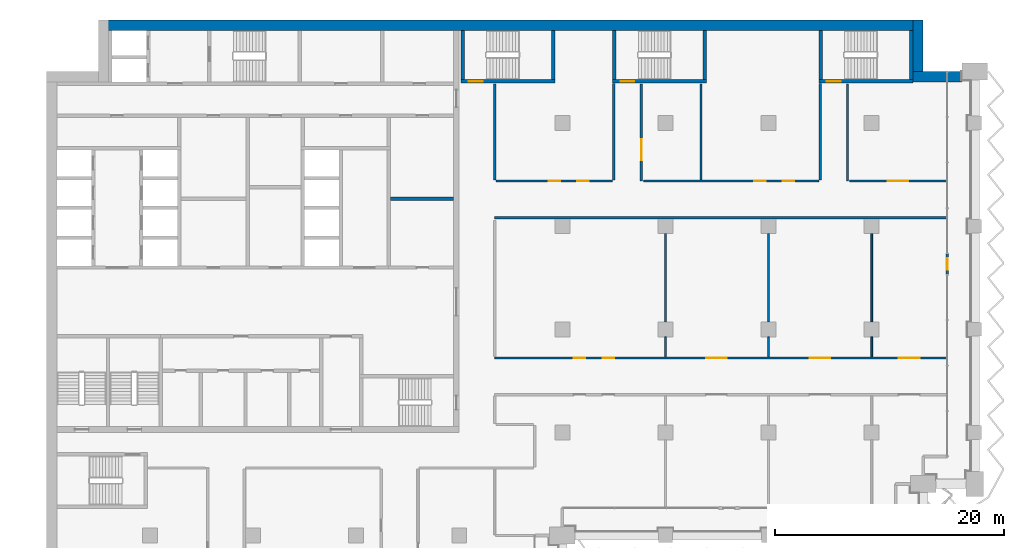
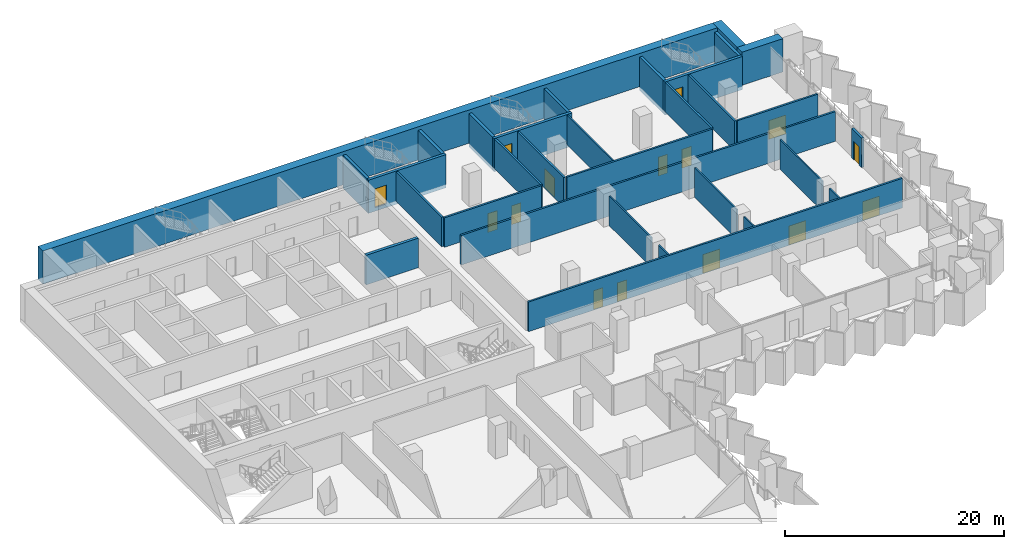
# One storey, part 14 of 22: 31 walls, 15 doors, 15 openings.
"""IFC4 building model written with IfcOpenShell, lengths in metres."""

from ifc_helpers import new_model, si_unit, direction, frame, frame_2d, origin, place, context, subcontext, project, spatial, rectangle, extrude, material, layer, layer_set, type_object, element, fill, save


model = new_model("IFC4")

# Units and contexts
model_context = context("Model", 3, precision=1e-05, world=origin(), true_north=direction((0.0, 1.0)))
body_context = subcontext(model_context, "Body", "Model", "MODEL_VIEW")
ifc_project = project(units=[si_unit("LENGTHUNIT", "METRE"), si_unit("AREAUNIT", "SQUARE_METRE"), si_unit("VOLUMEUNIT", "CUBIC_METRE"), si_unit("PLANEANGLEUNIT", "RADIAN"), si_unit("MASSUNIT", "GRAM", prefix="KILO")], contexts=[model_context])

# Site, building, storey
site_placement = place(None, origin())
site = spatial("IfcSite", under=ifc_project, at=site_placement, CompositionType="ELEMENT")
building_placement = place(site_placement, origin())
building = spatial("IfcBuilding", under=site, at=building_placement, Name="Hunhe Ridgeline Campus", CompositionType="ELEMENT")
storey_placement = place(building_placement, frame((0.0, 0.0, 118.10009765625)))
storey = spatial("IfcBuildingStorey", under=building, at=storey_placement, Name="L29", CompositionType="ELEMENT", Elevation=118.10009765625)

# Wall
ifc_material_1 = material(Name="Masonry concrete blockwork", Category="masonry")
ifc_layer_1 = layer(ifc_material_1, 0.300048828125)
ifc_layer_set_1 = layer_set([ifc_layer_1], Name="Core room partition 300 concrete block")
wall_type_1 = type_object("IfcWallType", Name="Core room partition 300 concrete block", PredefinedType="PARTITIONING", material=ifc_layer_set_1)
wall_1_placement = place(storey_placement, frame((30.0, 83.39990234375, 0.0), z_axis=(0.0, 0.0, 1.0), x_axis=(1.0, 0.0, 0.0)))
element("IfcWall", 1, at=wall_1_placement, inside=storey, type_object=wall_type_1, Name="L29 core partition 21", PredefinedType="PARTITIONING", context=body_context, shape_type="SweptSolid", body=[
    extrude(rectangle(XDim=5.5, YDim=0.300048828125, at=frame_2d((2.75, 0.0))), origin(), (0.0, 0.0, 1.0), 3.2998046875),
])

# Wall, openings, doors
ifc_material_2 = material(Name="Gypsum board partition")
ifc_layer_2 = layer(ifc_material_2, 0.199951171875)
ifc_layer_set_2 = layer_set([ifc_layer_2], Name="Corridor partition 200 gypsum board on steel studs")
wall_type_2 = type_object("IfcWallType", Name="Corridor partition 200 gypsum board on steel studs", PredefinedType="PARTITIONING", material=ifc_layer_set_2)
wall_2_placement = place(storey_placement, frame((39.10009765625, 69.5, 0.0), z_axis=(0.0, 0.0, 1.0), x_axis=(1.0, 0.0, 0.0)))
wall_2 = element("IfcWall", 2, at=wall_2_placement, inside=storey, type_object=wall_type_2, Name="F-L29-wall-036", PredefinedType="PARTITIONING", context=body_context, shape_type="SweptSolid", body=[
    extrude(rectangle(XDim=39.44482421875, YDim=0.199951171875, at=frame_2d((19.722412109375, 0.0))), origin(), (0.0, 0.0, 1.0), 3.2998046875),
])
opening_1_placement = place(wall_2_placement, frame((6.91162109375, 0.0, 0.0)))
opening_1 = element("IfcOpeningElement", 3, at=opening_1_placement, cuts=wall_2, Name="Opening RD1-024", PredefinedType="OPENING", context=body_context, shape_type="SweptSolid", body=[
    extrude(rectangle(XDim=1.0, YDim=2.10009765625, at=frame_2d((0.5, 1.050048828125))), frame((0.0, 0.10009765625, 0.0), z_axis=(0.0, -1.0, 0.0), x_axis=(1.0, 0.0, 0.0)), (0.0, 0.0, 1.0), 0.199951171875),
])
opening_2_placement = place(wall_2_placement, frame((9.41162109375, 0.0, 0.0)))
opening_2 = element("IfcOpeningElement", 4, at=opening_2_placement, cuts=wall_2, Name="Opening RD1-025", PredefinedType="OPENING", context=body_context, shape_type="SweptSolid", body=[
    extrude(rectangle(XDim=1.0, YDim=2.10009765625, at=frame_2d((0.5, 1.050048828125))), frame((0.0, 0.10009765625, 0.0), z_axis=(0.0, -1.0, 0.0), x_axis=(1.0, 0.0, 0.0)), (0.0, 0.0, 1.0), 0.199951171875),
])
opening_3_placement = place(wall_2_placement, frame((18.445556640625, 0.0, 0.0)))
opening_3 = element("IfcOpeningElement", 5, at=opening_3_placement, cuts=wall_2, Name="Opening RD2-026", PredefinedType="OPENING", context=body_context, shape_type="SweptSolid", body=[
    extrude(rectangle(XDim=1.800048828125, YDim=2.10009765625, at=frame_2d((0.89990234375, 1.050048828125))), frame((0.0, 0.10009765625, 0.0), z_axis=(0.0, -1.0, 0.0), x_axis=(1.0, 0.0, 0.0)), (0.0, 0.0, 1.0), 0.199951171875),
])
opening_4_placement = place(wall_2_placement, frame((27.490478515625, 0.0, 0.0)))
opening_4 = element("IfcOpeningElement", 6, at=opening_4_placement, cuts=wall_2, Name="Opening RD2-027", PredefinedType="OPENING", context=body_context, shape_type="SweptSolid", body=[
    extrude(rectangle(XDim=1.800048828125, YDim=2.10009765625, at=frame_2d((0.89990234375, 1.050048828125))), frame((0.0, 0.10009765625, 0.0), z_axis=(0.0, -1.0, 0.0), x_axis=(1.0, 0.0, 0.0)), (0.0, 0.0, 1.0), 0.199951171875),
])
opening_5_placement = place(wall_2_placement, frame((35.27880859375, 0.0, 0.0)))
opening_5 = element("IfcOpeningElement", 7, at=opening_5_placement, cuts=wall_2, Name="Opening RD2-028", PredefinedType="OPENING", context=body_context, shape_type="SweptSolid", body=[
    extrude(rectangle(XDim=1.800048828125, YDim=2.10009765625, at=frame_2d((0.89990234375, 1.050048828125))), frame((0.0, 0.10009765625, 0.0), z_axis=(0.0, -1.0, 0.0), x_axis=(1.0, 0.0, 0.0)), (0.0, 0.0, 1.0), 0.199951171875),
])
ifc_material_3 = material(Name="Timber door leaf", Category="wood")
door_type_1 = type_object("IfcDoorType", Name="Double fire door 1800x2100 timber FD60", OperationType="DOUBLE_DOOR_SINGLE_SWING", PredefinedType="DOOR", material=ifc_material_3)
door_1_placement = place(opening_3_placement, origin())
door_1 = element("IfcDoor", 8, at=door_1_placement, inside=storey, type_object=door_type_1, Name="F-L29-door-026", OperationType="DOUBLE_DOOR_SINGLE_SWING", OverallHeight=2.10009765625, OverallWidth=1.800048828125, PredefinedType="DOOR", context=body_context, shape_type="SweptSolid", body=[
    extrude(rectangle(XDim=1.800048828125, YDim=2.10009765625, at=frame_2d((0.89990234375, 1.050048828125))), frame((0.0, 0.02490234375, 0.0), z_axis=(0.0, -1.0, 0.0), x_axis=(1.0, 0.0, 0.0)), (0.0, 0.0, 1.0), 0.050048828125),
])
fill(opening_3, door_1)
door_2_placement = place(opening_4_placement, origin())
door_2 = element("IfcDoor", 9, at=door_2_placement, inside=storey, type_object=door_type_1, Name="F-L29-door-027", OperationType="DOUBLE_DOOR_SINGLE_SWING", OverallHeight=2.10009765625, OverallWidth=1.800048828125, PredefinedType="DOOR", context=body_context, shape_type="SweptSolid", body=[
    extrude(rectangle(XDim=1.800048828125, YDim=2.10009765625, at=frame_2d((0.89990234375, 1.050048828125))), frame((0.0, 0.02490234375, 0.0), z_axis=(0.0, -1.0, 0.0), x_axis=(1.0, 0.0, 0.0)), (0.0, 0.0, 1.0), 0.050048828125),
])
fill(opening_4, door_2)
door_3_placement = place(opening_5_placement, origin())
door_3 = element("IfcDoor", 10, at=door_3_placement, inside=storey, type_object=door_type_1, Name="F-L29-door-028", OperationType="DOUBLE_DOOR_SINGLE_SWING", OverallHeight=2.10009765625, OverallWidth=1.800048828125, PredefinedType="DOOR", context=body_context, shape_type="SweptSolid", body=[
    extrude(rectangle(XDim=1.800048828125, YDim=2.10009765625, at=frame_2d((0.89990234375, 1.050048828125))), frame((0.0, 0.02490234375, 0.0), z_axis=(0.0, -1.0, 0.0), x_axis=(1.0, 0.0, 0.0)), (0.0, 0.0, 1.0), 0.050048828125),
])
fill(opening_5, door_3)
door_type_2 = type_object("IfcDoorType", Name="Single fire door 1000x2100 timber FD60", OperationType="NOTDEFINED", PredefinedType="DOOR", material=ifc_material_3)
door_4_placement = place(opening_1_placement, frame((1.0, 0.0, 0.0), z_axis=(0.0, 0.0, 1.0), x_axis=(-1.0, 0.0, 0.0)))
door_4 = element("IfcDoor", 11, at=door_4_placement, inside=storey, type_object=door_type_2, Name="F-L29-door-024", OperationType="SINGLE_SWING_RIGHT", OverallHeight=2.10009765625, OverallWidth=1.0, PredefinedType="DOOR", context=body_context, shape_type="SweptSolid", body=[
    extrude(rectangle(XDim=1.0, YDim=2.10009765625, at=frame_2d((0.5, 1.050048828125))), frame((0.0, 0.02490234375, 0.0), z_axis=(0.0, -1.0, 0.0), x_axis=(1.0, 0.0, 0.0)), (0.0, 0.0, 1.0), 0.050048828125),
])
fill(opening_1, door_4)
door_5_placement = place(opening_2_placement, frame((1.0, 0.0, 0.0), z_axis=(0.0, 0.0, 1.0), x_axis=(-1.0, 0.0, 0.0)))
door_5 = element("IfcDoor", 12, at=door_5_placement, inside=storey, type_object=door_type_2, Name="F-L29-door-025", OperationType="SINGLE_SWING_LEFT", OverallHeight=2.10009765625, OverallWidth=1.0, PredefinedType="DOOR", context=body_context, shape_type="SweptSolid", body=[
    extrude(rectangle(XDim=1.0, YDim=2.10009765625, at=frame_2d((0.5, 1.050048828125))), frame((0.0, 0.02490234375, 0.0), z_axis=(0.0, -1.0, 0.0), x_axis=(1.0, 0.0, 0.0)), (0.0, 0.0, 1.0), 0.050048828125),
])
fill(opening_2, door_5)

# Wall
wall_3_placement = place(storey_placement, frame((78.544921875, 81.75, 0.0), z_axis=(0.0, 0.0, 1.0), x_axis=(-1.0, 0.0, 0.0)))
element("IfcWall", 13, at=wall_3_placement, inside=storey, type_object=wall_type_2, Name="F-L29-wall-037", PredefinedType="PARTITIONING", context=body_context, shape_type="SweptSolid", body=[
    extrude(rectangle(XDim=39.44482421875, YDim=0.199951171875, at=frame_2d((19.722412109375, 0.0))), origin(), (0.0, 0.0, 1.0), 3.2998046875),
])

# Wall, openings, doors
wall_4_placement = place(storey_placement, frame((39.199951171875, 84.949951171875, 0.0), z_axis=(0.0, 0.0, 1.0), x_axis=(1.0, 0.0, 0.0)))
wall_4 = element("IfcWall", 14, at=wall_4_placement, inside=storey, type_object=wall_type_2, Name="F-L29-wall-038", PredefinedType="PARTITIONING", context=body_context, shape_type="SweptSolid", body=[
    extrude(rectangle(XDim=10.199951171875, YDim=0.199951171875, at=frame_2d((5.10009765625, 0.0))), origin(), (0.0, 0.0, 1.0), 3.2998046875),
])
opening_6_placement = place(wall_4_placement, frame((4.60009765625, 0.0, 0.0)))
opening_6 = element("IfcOpeningElement", 15, at=opening_6_placement, cuts=wall_4, Name="Opening RD1-029", PredefinedType="OPENING", context=body_context, shape_type="SweptSolid", body=[
    extrude(rectangle(XDim=1.0, YDim=2.10009765625, at=frame_2d((0.5, 1.050048828125))), frame((0.0, 0.10009765625, 0.0), z_axis=(0.0, -1.0, 0.0), x_axis=(1.0, 0.0, 0.0)), (0.0, 0.0, 1.0), 0.199951171875),
])
opening_7_placement = place(wall_4_placement, frame((7.10009765625, 0.0, 0.0)))
opening_7 = element("IfcOpeningElement", 16, at=opening_7_placement, cuts=wall_4, Name="Opening RD1-030", PredefinedType="OPENING", context=body_context, shape_type="SweptSolid", body=[
    extrude(rectangle(XDim=1.0, YDim=2.10009765625, at=frame_2d((0.5, 1.050048828125))), frame((0.0, 0.10009765625, 0.0), z_axis=(0.0, -1.0, 0.0), x_axis=(1.0, 0.0, 0.0)), (0.0, 0.0, 1.0), 0.199951171875),
])
door_6_placement = place(opening_6_placement, frame((1.0, 0.0, 0.0), z_axis=(0.0, 0.0, 1.0), x_axis=(-1.0, 0.0, 0.0)))
door_6 = element("IfcDoor", 17, at=door_6_placement, inside=storey, type_object=door_type_2, Name="F-L29-door-029", OperationType="SINGLE_SWING_LEFT", OverallHeight=2.10009765625, OverallWidth=1.0, PredefinedType="DOOR", context=body_context, shape_type="SweptSolid", body=[
    extrude(rectangle(XDim=1.0, YDim=2.10009765625, at=frame_2d((0.5, 1.050048828125))), frame((0.0, 0.02490234375, 0.0), z_axis=(0.0, -1.0, 0.0), x_axis=(1.0, 0.0, 0.0)), (0.0, 0.0, 1.0), 0.050048828125),
])
fill(opening_6, door_6)
door_7_placement = place(opening_7_placement, frame((1.0, 0.0, 0.0), z_axis=(0.0, 0.0, 1.0), x_axis=(-1.0, 0.0, 0.0)))
door_7 = element("IfcDoor", 18, at=door_7_placement, inside=storey, type_object=door_type_2, Name="F-L29-door-030", OperationType="SINGLE_SWING_LEFT", OverallHeight=2.10009765625, OverallWidth=1.0, PredefinedType="DOOR", context=body_context, shape_type="SweptSolid", body=[
    extrude(rectangle(XDim=1.0, YDim=2.10009765625, at=frame_2d((0.5, 1.050048828125))), frame((0.0, 0.02490234375, 0.0), z_axis=(0.0, -1.0, 0.0), x_axis=(1.0, 0.0, 0.0)), (0.0, 0.0, 1.0), 0.050048828125),
])
fill(opening_7, door_7)

wall_5_placement = place(storey_placement, frame((52.081787109375, 84.949951171875, 0.0), z_axis=(0.0, 0.0, 1.0), x_axis=(1.0, 0.0, 0.0)))
wall_5 = element("IfcWall", 19, at=wall_5_placement, inside=storey, type_object=wall_type_2, Name="F-L29-wall-039", PredefinedType="PARTITIONING", context=body_context, shape_type="SweptSolid", body=[
    extrude(rectangle(XDim=15.318115234375, YDim=0.199951171875, at=frame_2d((7.6591796875, 0.0))), origin(), (0.0, 0.0, 1.0), 3.2998046875),
])
opening_8_placement = place(wall_5_placement, frame((9.670166015625, 0.0, 0.0)))
opening_8 = element("IfcOpeningElement", 20, at=opening_8_placement, cuts=wall_5, Name="Opening RD1-031", PredefinedType="OPENING", context=body_context, shape_type="SweptSolid", body=[
    extrude(rectangle(XDim=1.0, YDim=2.10009765625, at=frame_2d((0.5, 1.050048828125))), frame((0.0, 0.10009765625, 0.0), z_axis=(0.0, -1.0, 0.0), x_axis=(1.0, 0.0, 0.0)), (0.0, 0.0, 1.0), 0.199951171875),
])
opening_9_placement = place(wall_5_placement, frame((12.170166015625, 0.0, 0.0)))
opening_9 = element("IfcOpeningElement", 21, at=opening_9_placement, cuts=wall_5, Name="Opening RD1-032", PredefinedType="OPENING", context=body_context, shape_type="SweptSolid", body=[
    extrude(rectangle(XDim=1.0, YDim=2.10009765625, at=frame_2d((0.5, 1.050048828125))), frame((0.0, 0.10009765625, 0.0), z_axis=(0.0, -1.0, 0.0), x_axis=(1.0, 0.0, 0.0)), (0.0, 0.0, 1.0), 0.199951171875),
])
door_8_placement = place(opening_8_placement, frame((1.0, 0.0, 0.0), z_axis=(0.0, 0.0, 1.0), x_axis=(-1.0, 0.0, 0.0)))
door_8 = element("IfcDoor", 22, at=door_8_placement, inside=storey, type_object=door_type_2, Name="F-L29-door-031", OperationType="SINGLE_SWING_LEFT", OverallHeight=2.10009765625, OverallWidth=1.0, PredefinedType="DOOR", context=body_context, shape_type="SweptSolid", body=[
    extrude(rectangle(XDim=1.0, YDim=2.10009765625, at=frame_2d((0.5, 1.050048828125))), frame((0.0, 0.02490234375, 0.0), z_axis=(0.0, -1.0, 0.0), x_axis=(1.0, 0.0, 0.0)), (0.0, 0.0, 1.0), 0.050048828125),
])
fill(opening_8, door_8)
door_9_placement = place(opening_9_placement, frame((1.0, 0.0, 0.0), z_axis=(0.0, 0.0, 1.0), x_axis=(-1.0, 0.0, 0.0)))
door_9 = element("IfcDoor", 23, at=door_9_placement, inside=storey, type_object=door_type_2, Name="F-L29-door-032", OperationType="SINGLE_SWING_LEFT", OverallHeight=2.10009765625, OverallWidth=1.0, PredefinedType="DOOR", context=body_context, shape_type="SweptSolid", body=[
    extrude(rectangle(XDim=1.0, YDim=2.10009765625, at=frame_2d((0.5, 1.050048828125))), frame((0.0, 0.02490234375, 0.0), z_axis=(0.0, -1.0, 0.0), x_axis=(1.0, 0.0, 0.0)), (0.0, 0.0, 1.0), 0.050048828125),
])
fill(opening_9, door_9)

# Wall, opening, door
wall_6_placement = place(storey_placement, frame((70.056884765625, 84.949951171875, 0.0), z_axis=(0.0, 0.0, 1.0), x_axis=(1.0, 0.0, 0.0)))
wall_6 = element("IfcWall", 24, at=wall_6_placement, inside=storey, type_object=wall_type_2, Name="F-L29-wall-040", PredefinedType="PARTITIONING", context=body_context, shape_type="SweptSolid", body=[
    extrude(rectangle(XDim=8.488037109375, YDim=0.199951171875, at=frame_2d((4.244140625, 0.0))), origin(), (0.0, 0.0, 1.0), 3.2998046875),
])
opening_10_placement = place(wall_6_placement, frame((3.343994140625, 0.0, 0.0)))
opening_10 = element("IfcOpeningElement", 25, at=opening_10_placement, cuts=wall_6, Name="Opening RD2-033", PredefinedType="OPENING", context=body_context, shape_type="SweptSolid", body=[
    extrude(rectangle(XDim=1.800048828125, YDim=2.10009765625, at=frame_2d((0.89990234375, 1.050048828125))), frame((0.0, 0.10009765625, 0.0), z_axis=(0.0, -1.0, 0.0), x_axis=(1.0, 0.0, 0.0)), (0.0, 0.0, 1.0), 0.199951171875),
])
door_10_placement = place(opening_10_placement, origin())
door_10 = element("IfcDoor", 26, at=door_10_placement, inside=storey, type_object=door_type_1, Name="F-L29-door-033", OperationType="DOUBLE_DOOR_SINGLE_SWING", OverallHeight=2.10009765625, OverallWidth=1.800048828125, PredefinedType="DOOR", context=body_context, shape_type="SweptSolid", body=[
    extrude(rectangle(XDim=1.800048828125, YDim=2.10009765625, at=frame_2d((0.89990234375, 1.050048828125))), frame((0.0, 0.02490234375, 0.0), z_axis=(0.0, -1.0, 0.0), x_axis=(1.0, 0.0, 0.0)), (0.0, 0.0, 1.0), 0.050048828125),
])
fill(opening_10, door_10)

# Walls
wall_7_placement = place(storey_placement, frame((39.10009765625, 93.39599609375, 0.0), z_axis=(0.0, 0.0, 1.0), x_axis=(0.0, -1.0, 0.0)))
element("IfcWall", 27, at=wall_7_placement, inside=storey, type_object=wall_type_2, Name="F-L29-wall-052", PredefinedType="PARTITIONING", context=body_context, shape_type="SweptSolid", body=[
    extrude(rectangle(XDim=8.345947265625, YDim=0.199951171875, at=frame_2d((4.1728515625, 0.0))), origin(), (0.0, 0.0, 1.0), 3.2998046875),
])
wall_8_placement = place(storey_placement, frame((49.5, 85.050048828125, 0.0), z_axis=(0.0, 0.0, 1.0), x_axis=(0.0, 1.0, 0.0)))
element("IfcWall", 28, at=wall_8_placement, inside=storey, type_object=wall_type_2, Name="F-L29-wall-054", PredefinedType="PARTITIONING", context=body_context, shape_type="SweptSolid", body=[
    extrude(rectangle(XDim=8.419921875, YDim=0.199951171875, at=frame_2d((4.2099609375, 0.0))), origin(), (0.0, 0.0, 1.0), 3.2998046875),
])

# Wall, opening, door
wall_9_placement = place(storey_placement, frame((51.89990234375, 93.39599609375, 0.0), z_axis=(0.0, 0.0, 1.0), x_axis=(0.0, -1.0, 0.0)))
wall_9 = element("IfcWall", 29, at=wall_9_placement, inside=storey, type_object=wall_type_2, Name="F-L29-wall-055", PredefinedType="PARTITIONING", context=body_context, shape_type="SweptSolid", body=[
    extrude(rectangle(XDim=8.446044921875, YDim=0.199951171875, at=frame_2d((4.22314453125, 0.0))), origin(), (0.0, 0.0, 1.0), 3.2998046875),
])
opening_11_placement = place(wall_9_placement, frame((4.822998046875, 0.0, 0.0)))
opening_11 = element("IfcOpeningElement", 30, at=opening_11_placement, cuts=wall_9, Name="Opening RD2-034", PredefinedType="OPENING", context=body_context, shape_type="SweptSolid", body=[
    extrude(rectangle(XDim=1.800048828125, YDim=2.10009765625, at=frame_2d((0.89990234375, 1.050048828125))), frame((0.0, 0.10009765625, 0.0), z_axis=(0.0, -1.0, 0.0), x_axis=(1.0, 0.0, 0.0)), (0.0, 0.0, 1.0), 0.199951171875),
])
door_11_placement = place(opening_11_placement, origin())
door_11 = element("IfcDoor", 31, at=door_11_placement, inside=storey, type_object=door_type_1, Name="F-L29-door-034", OperationType="DOUBLE_DOOR_SINGLE_SWING", OverallHeight=2.10009765625, OverallWidth=1.800048828125, PredefinedType="DOOR", context=body_context, shape_type="SweptSolid", body=[
    extrude(rectangle(XDim=1.800048828125, YDim=2.10009765625, at=frame_2d((0.89990234375, 1.050048828125))), frame((0.0, 0.02490234375, 0.0), z_axis=(0.0, -1.0, 0.0), x_axis=(1.0, 0.0, 0.0)), (0.0, 0.0, 1.0), 0.050048828125),
])
fill(opening_11, door_11)

# Walls
wall_10_placement = place(storey_placement, frame((67.5, 85.050048828125, 0.0), z_axis=(0.0, 0.0, 1.0), x_axis=(0.0, 1.0, 0.0)))
element("IfcWall", 32, at=wall_10_placement, inside=storey, type_object=wall_type_2, Name="F-L29-wall-065", PredefinedType="PARTITIONING", context=body_context, shape_type="SweptSolid", body=[
    extrude(rectangle(XDim=8.419921875, YDim=0.199951171875, at=frame_2d((4.2099609375, 0.0))), origin(), (0.0, 0.0, 1.0), 3.2998046875),
])
wall_11_placement = place(storey_placement, frame((69.89990234375, 93.39599609375, 0.0), z_axis=(0.0, 0.0, 1.0), x_axis=(0.0, -1.0, 0.0)))
element("IfcWall", 33, at=wall_11_placement, inside=storey, type_object=wall_type_2, Name="F-L29-wall-066", PredefinedType="PARTITIONING", context=body_context, shape_type="SweptSolid", body=[
    extrude(rectangle(XDim=8.446044921875, YDim=0.199951171875, at=frame_2d((4.22314453125, 0.0))), origin(), (0.0, 0.0, 1.0), 3.2998046875),
])

# Wall, opening, door
ifc_material_4 = material(Name="Concrete C30", Category="concrete")
ifc_layer_3 = layer(ifc_material_4, 0.25)
ifc_layer_set_3 = layer_set([ifc_layer_3], Name="Loggia door pier wall 250 Concrete C30")
wall_type_3 = type_object("IfcWallType", Name="Loggia door pier wall 250 Concrete C30", PredefinedType="SOLIDWALL", material=ifc_layer_set_3)
wall_12_placement = place(storey_placement, frame((78.59912109375, 76.800537109375, 0.0), z_axis=(0.0, 0.0, 1.0), x_axis=(0.0, 1.0, 0.0)))
wall_12 = element("IfcWall", 34, at=wall_12_placement, inside=storey, type_object=wall_type_3, Name="Loggia door pier 4", PredefinedType="SOLIDWALL", context=body_context, shape_type="SweptSolid", body=[
    extrude(rectangle(XDim=1.800048828125, YDim=0.25, at=frame_2d((0.89990234375, 0.0))), origin(), (0.0, 0.0, 1.0), 3.2998046875),
])
opening_12_placement = place(wall_12_placement, frame((0.39990234375, 0.0, 0.0)))
opening_12 = element("IfcOpeningElement", 35, at=opening_12_placement, cuts=wall_12, Name="Opening BD207", PredefinedType="OPENING", context=body_context, shape_type="SweptSolid", body=[
    extrude(rectangle(XDim=1.0, YDim=2.10009765625, at=frame_2d((0.5, 1.050048828125))), frame((0.0, 0.125, 0.0), z_axis=(0.0, -1.0, 0.0), x_axis=(1.0, 0.0, 0.0)), (0.0, 0.0, 1.0), 0.25),
])
ifc_material_5 = material(Name="Aluminium 6063", Category="aluminium")
door_type_3 = type_object("IfcDoorType", Name="Loggia glazed door 1000x2100", OperationType="NOTDEFINED", PredefinedType="DOOR", material=ifc_material_5)
door_12_placement = place(opening_12_placement, frame((1.0, 0.0, 0.0), z_axis=(0.0, 0.0, 1.0), x_axis=(-1.0, 0.0, 0.0)))
door_12 = element("IfcDoor", 36, at=door_12_placement, inside=storey, type_object=door_type_3, Name="Loggia door BD207", OperationType="SINGLE_SWING_RIGHT", OverallHeight=2.10009765625, OverallWidth=1.0, PredefinedType="DOOR", context=body_context, shape_type="SweptSolid", body=[
    extrude(rectangle(XDim=1.0, YDim=2.10009765625, at=frame_2d((0.5, 1.050048828125))), frame((0.0, 0.02490234375, 0.0), z_axis=(0.0, -1.0, 0.0), x_axis=(1.0, 0.0, 0.0)), (0.0, 0.0, 1.0), 0.050048828125),
])
fill(opening_12, door_12)

# Walls
ifc_layer_4 = layer(ifc_material_2, 0.14990234375)
ifc_layer_set_4 = layer_set([ifc_layer_4], Name="Room partition 150 gypsum board on steel studs")
wall_type_4 = type_object("IfcWallType", Name="Room partition 150 gypsum board on steel studs", PredefinedType="PARTITIONING", material=ifc_layer_set_4)
wall_13_placement = place(storey_placement, frame((54.0, 71.35009765625, 0.0), z_axis=(0.0, 0.0, 1.0), x_axis=(0.0, -1.0, 0.0)))
element("IfcWall", 37, at=wall_13_placement, inside=storey, type_object=wall_type_4, Name="F-L29-wall-058", PredefinedType="PARTITIONING", context=body_context, shape_type="SweptSolid", body=[
    extrude(rectangle(XDim=1.75, YDim=0.14990234375, at=frame_2d((0.875, 0.0))), origin(), (0.0, 0.0, 1.0), 3.2998046875),
])
wall_14_placement = place(storey_placement, frame((54.0, 80.35009765625, 0.0), z_axis=(0.0, 0.0, 1.0), x_axis=(0.0, -1.0, 0.0)))
element("IfcWall", 38, at=wall_14_placement, inside=storey, type_object=wall_type_4, Name="F-L29-wall-059", PredefinedType="PARTITIONING", context=body_context, shape_type="SweptSolid", body=[
    extrude(rectangle(XDim=7.7001953125, YDim=0.14990234375, at=frame_2d((3.85009765625, 0.0))), origin(), (0.0, 0.0, 1.0), 3.2998046875),
])
wall_15_placement = place(storey_placement, frame((57.10009765625, 93.39599609375, 0.0), z_axis=(0.0, 0.0, 1.0), x_axis=(0.0, -1.0, 0.0)))
element("IfcWall", 39, at=wall_15_placement, inside=storey, type_object=wall_type_4, Name="F-L29-wall-060", PredefinedType="PARTITIONING", context=body_context, shape_type="SweptSolid", body=[
    extrude(rectangle(XDim=8.345947265625, YDim=0.14990234375, at=frame_2d((4.1728515625, 0.0))), origin(), (0.0, 0.0, 1.0), 3.2998046875),
])
wall_16_placement = place(storey_placement, frame((63.0, 71.35009765625, 0.0), z_axis=(0.0, 0.0, 1.0), x_axis=(0.0, -1.0, 0.0)))
element("IfcWall", 40, at=wall_16_placement, inside=storey, type_object=wall_type_4, Name="F-L29-wall-063", PredefinedType="PARTITIONING", context=body_context, shape_type="SweptSolid", body=[
    extrude(rectangle(XDim=1.75, YDim=0.14990234375, at=frame_2d((0.875, 0.0))), origin(), (0.0, 0.0, 1.0), 3.2998046875),
])
wall_17_placement = place(storey_placement, frame((63.0, 80.35009765625, 0.0), z_axis=(0.0, 0.0, 1.0), x_axis=(0.0, -1.0, 0.0)))
element("IfcWall", 41, at=wall_17_placement, inside=storey, type_object=wall_type_4, Name="F-L29-wall-064", PredefinedType="PARTITIONING", context=body_context, shape_type="SweptSolid", body=[
    extrude(rectangle(XDim=7.7001953125, YDim=0.14990234375, at=frame_2d((3.85009765625, 0.0))), origin(), (0.0, 0.0, 1.0), 3.2998046875),
])
wall_18_placement = place(storey_placement, frame((72.0, 71.35009765625, 0.0), z_axis=(0.0, 0.0, 1.0), x_axis=(0.0, -1.0, 0.0)))
element("IfcWall", 42, at=wall_18_placement, inside=storey, type_object=wall_type_4, Name="F-L29-wall-069", PredefinedType="PARTITIONING", context=body_context, shape_type="SweptSolid", body=[
    extrude(rectangle(XDim=1.75, YDim=0.14990234375, at=frame_2d((0.875, 0.0))), origin(), (0.0, 0.0, 1.0), 3.2998046875),
])
wall_19_placement = place(storey_placement, frame((72.0, 80.35009765625, 0.0), z_axis=(0.0, 0.0, 1.0), x_axis=(0.0, -1.0, 0.0)))
element("IfcWall", 43, at=wall_19_placement, inside=storey, type_object=wall_type_4, Name="F-L29-wall-070", PredefinedType="PARTITIONING", context=body_context, shape_type="SweptSolid", body=[
    extrude(rectangle(XDim=7.7001953125, YDim=0.14990234375, at=frame_2d((3.85009765625, 0.0))), origin(), (0.0, 0.0, 1.0), 3.2998046875),
])
ifc_material_6 = material(Name="Concrete C70", Category="concrete")
ifc_layer_5 = layer(ifc_material_6, 0.89990234375)
ifc_layer_set_5 = layer_set([ifc_layer_5], Name="Spine wall 900 Concrete C70")
wall_type_5 = type_object("IfcWallType", Name="Spine wall 900 Concrete C70", PredefinedType="SHEAR", material=ifc_layer_set_5)
wall_20_placement = place(storey_placement, frame((79.89990234375, 94.050048828125, 0.0), z_axis=(0.0, 0.0, 1.0), x_axis=(-1.0, 0.0, 0.0)))
element("IfcWall", 44, at=wall_20_placement, inside=storey, type_object=wall_type_5, Name="Spine wall SW2-2 L29", PredefinedType="SHEAR", context=body_context, shape_type="SweptSolid", body=[
    extrude(rectangle(XDim=4.30029296875, YDim=0.89990234375, at=frame_2d((2.150146484375, 0.0))), origin(), (0.0, 0.0, 1.0), 3.699951171875),
])
wall_21_placement = place(storey_placement, frame((76.050048828125, 93.60009765625, 0.0), z_axis=(0.0, 0.0, 1.0), x_axis=(0.0, 1.0, 0.0)))
element("IfcWall", 45, at=wall_21_placement, inside=storey, type_object=wall_type_5, Name="Spine wall SW2-3 L29", PredefinedType="SHEAR", context=body_context, shape_type="SweptSolid", body=[
    extrude(rectangle(XDim=5.39990234375, YDim=0.89990234375, at=frame_2d((2.699951171875, 0.0))), origin(), (0.0, 0.0, 1.0), 3.699951171875),
])
wall_22_placement = place(storey_placement, frame((76.5, 98.550048828125, 0.0), z_axis=(0.0, 0.0, 1.0), x_axis=(-1.0, 0.0, 0.0)))
element("IfcWall", 46, at=wall_22_placement, inside=storey, type_object=wall_type_5, Name="Spine wall SW2-4 L29", PredefinedType="SHEAR", context=body_context, shape_type="SweptSolid", body=[
    extrude(rectangle(XDim=72.0, YDim=0.89990234375, at=frame_2d((36.0, 0.0))), origin(), (0.0, 0.0, 1.0), 3.699951171875),
])

# Wall, opening, door
ifc_material_7 = material(Name="Concrete C80", Category="concrete")
ifc_layer_6 = layer(ifc_material_7, 0.300048828125)
ifc_layer_set_6 = layer_set([ifc_layer_6], Name="Stair wall 300 reinforced concrete C80")
wall_type_6 = type_object("IfcWallType", Name="Stair wall 300 reinforced concrete C80", PredefinedType="SOLIDWALL", material=ifc_layer_set_6)
wall_23_placement = place(storey_placement, frame((36.14990234375, 93.64990234375, -0.400146484375), z_axis=(0.0, 0.0, 1.0), x_axis=(1.0, 0.0, 0.0)))
wall_23 = element("IfcWall", 47, at=wall_23_placement, inside=storey, type_object=wall_type_6, Name="L29 core wall 30", PredefinedType="SOLIDWALL", context=body_context, shape_type="SweptSolid", body=[
    extrude(rectangle(XDim=8.2001953125, YDim=0.300048828125, at=frame_2d((4.10009765625, 0.0))), origin(), (0.0, 0.0, 1.0), 3.699951171875),
])
opening_13_placement = place(wall_23_placement, frame((0.699951171875, 0.0, 0.39990234375)))
opening_13 = element("IfcOpeningElement", 48, at=opening_13_placement, cuts=wall_23, Name="Opening CD17", PredefinedType="OPENING", context=body_context, shape_type="SweptSolid", body=[
    extrude(rectangle(XDim=1.199951171875, YDim=2.10009765625, at=frame_2d((0.60009765625, 1.050048828125))), frame((0.0, 0.14990234375, 0.0), z_axis=(0.0, -1.0, 0.0), x_axis=(1.0, 0.0, 0.0)), (0.0, 0.0, 1.0), 0.300048828125),
])
ifc_material_8 = material(Name="Hollow metal fire door leaf")
door_type_4 = type_object("IfcDoorType", Name="Stair door 1200x2100 FD60", OperationType="SINGLE_SWING_LEFT", PredefinedType="DOOR", material=ifc_material_8)
door_13_placement = place(opening_13_placement, frame((1.199951171875, 0.0, 0.0), z_axis=(0.0, 0.0, 1.0), x_axis=(-1.0, 0.0, 0.0)))
door_13 = element("IfcDoor", 49, at=door_13_placement, inside=storey, type_object=door_type_4, Name="L29 door E1", OperationType="SINGLE_SWING_RIGHT", OverallHeight=2.10009765625, OverallWidth=1.199951171875, PredefinedType="DOOR", context=body_context, shape_type="SweptSolid", body=[
    extrude(rectangle(XDim=1.199951171875, YDim=2.10009765625, at=frame_2d((0.60009765625, 1.050048828125))), frame((0.0, 0.02490234375, 0.0), z_axis=(0.0, -1.0, 0.0), x_axis=(1.0, 0.0, 0.0)), (0.0, 0.0, 1.0), 0.050048828125),
])
fill(opening_13, door_13)

wall_24_placement = place(storey_placement, frame((49.39990234375, 93.64990234375, -0.400146484375), z_axis=(0.0, 0.0, 1.0), x_axis=(1.0, 0.0, 0.0)))
wall_24 = element("IfcWall", 50, at=wall_24_placement, inside=storey, type_object=wall_type_6, Name="L29 core wall 31", PredefinedType="SOLIDWALL", context=body_context, shape_type="SweptSolid", body=[
    extrude(rectangle(XDim=8.2001953125, YDim=0.300048828125, at=frame_2d((4.10009765625, 0.0))), origin(), (0.0, 0.0, 1.0), 3.699951171875),
])
opening_14_placement = place(wall_24_placement, frame((0.699951171875, 0.0, 0.39990234375)))
opening_14 = element("IfcOpeningElement", 51, at=opening_14_placement, cuts=wall_24, Name="Opening CD18", PredefinedType="OPENING", context=body_context, shape_type="SweptSolid", body=[
    extrude(rectangle(XDim=1.199951171875, YDim=2.10009765625, at=frame_2d((0.60009765625, 1.050048828125))), frame((0.0, 0.14990234375, 0.0), z_axis=(0.0, -1.0, 0.0), x_axis=(1.0, 0.0, 0.0)), (0.0, 0.0, 1.0), 0.300048828125),
])
door_14_placement = place(opening_14_placement, frame((1.199951171875, 0.0, 0.0), z_axis=(0.0, 0.0, 1.0), x_axis=(-1.0, 0.0, 0.0)))
door_14 = element("IfcDoor", 52, at=door_14_placement, inside=storey, type_object=door_type_4, Name="L29 door E2", OperationType="SINGLE_SWING_LEFT", OverallHeight=2.10009765625, OverallWidth=1.199951171875, PredefinedType="DOOR", context=body_context, shape_type="SweptSolid", body=[
    extrude(rectangle(XDim=1.199951171875, YDim=2.10009765625, at=frame_2d((0.60009765625, 1.050048828125))), frame((0.0, 0.02490234375, 0.0), z_axis=(0.0, -1.0, 0.0), x_axis=(1.0, 0.0, 0.0)), (0.0, 0.0, 1.0), 0.050048828125),
])
fill(opening_14, door_14)

wall_25_placement = place(storey_placement, frame((67.39990234375, 93.64990234375, -0.400146484375), z_axis=(0.0, 0.0, 1.0), x_axis=(1.0, 0.0, 0.0)))
wall_25 = element("IfcWall", 53, at=wall_25_placement, inside=storey, type_object=wall_type_6, Name="L29 core wall 32", PredefinedType="SOLIDWALL", context=body_context, shape_type="SweptSolid", body=[
    extrude(rectangle(XDim=8.2001953125, YDim=0.300048828125, at=frame_2d((4.10009765625, 0.0))), origin(), (0.0, 0.0, 1.0), 3.699951171875),
])
opening_15_placement = place(wall_25_placement, frame((0.699951171875, 0.0, 0.39990234375)))
opening_15 = element("IfcOpeningElement", 54, at=opening_15_placement, cuts=wall_25, Name="Opening CD19", PredefinedType="OPENING", context=body_context, shape_type="SweptSolid", body=[
    extrude(rectangle(XDim=1.199951171875, YDim=2.10009765625, at=frame_2d((0.60009765625, 1.050048828125))), frame((0.0, 0.14990234375, 0.0), z_axis=(0.0, -1.0, 0.0), x_axis=(1.0, 0.0, 0.0)), (0.0, 0.0, 1.0), 0.300048828125),
])
door_15_placement = place(opening_15_placement, frame((1.199951171875, 0.0, 0.0), z_axis=(0.0, 0.0, 1.0), x_axis=(-1.0, 0.0, 0.0)))
door_15 = element("IfcDoor", 55, at=door_15_placement, inside=storey, type_object=door_type_4, Name="L29 door E3", OperationType="SINGLE_SWING_RIGHT", OverallHeight=2.10009765625, OverallWidth=1.199951171875, PredefinedType="DOOR", context=body_context, shape_type="SweptSolid", body=[
    extrude(rectangle(XDim=1.199951171875, YDim=2.10009765625, at=frame_2d((0.60009765625, 1.050048828125))), frame((0.0, 0.02490234375, 0.0), z_axis=(0.0, -1.0, 0.0), x_axis=(1.0, 0.0, 0.0)), (0.0, 0.0, 1.0), 0.050048828125),
])
fill(opening_15, door_15)

# Walls
for number, where, z_axis, x_axis, name in (
    (56, (36.300048828125, 93.800048828125, -0.400146484375), (0.0, 0.0, 1.0), (0.0, 1.0, 0.0), "L29 core wall 62"),
    (57, (44.199951171875, 93.800048828125, -0.400146484375), (0.0, 0.0, 1.0), (0.0, 1.0, 0.0), "L29 core wall 63"),
    (58, (49.550048828125, 93.800048828125, -0.400146484375), (0.0, 0.0, 1.0), (0.0, 1.0, 0.0), "L29 core wall 64"),
    (59, (57.449951171875, 93.800048828125, -0.400146484375), (0.0, 0.0, 1.0), (0.0, 1.0, 0.0), "L29 core wall 65"),
    (60, (67.550048828125, 93.800048828125, -0.400146484375), (0.0, 0.0, 1.0), (0.0, 1.0, 0.0), "L29 core wall 66"),
    (61, (75.449951171875, 93.800048828125, -0.400146484375), (0.0, 0.0, 1.0), (0.0, 1.0, 0.0), "L29 core wall 67"),
):
    element("IfcWall", number, at=place(storey_placement, frame(where, z_axis=z_axis, x_axis=x_axis)), inside=storey, type_object=wall_type_6, Name=name, PredefinedType="SOLIDWALL", context=body_context, shape_type="SweptSolid", body=[
        extrude(rectangle(XDim=4.300048828125, YDim=0.300048828125, at=frame_2d((2.14990234375, 0.0))), origin(), (0.0, 0.0, 1.0), 3.699951171875),
    ])

save(model, "model.ifc")
